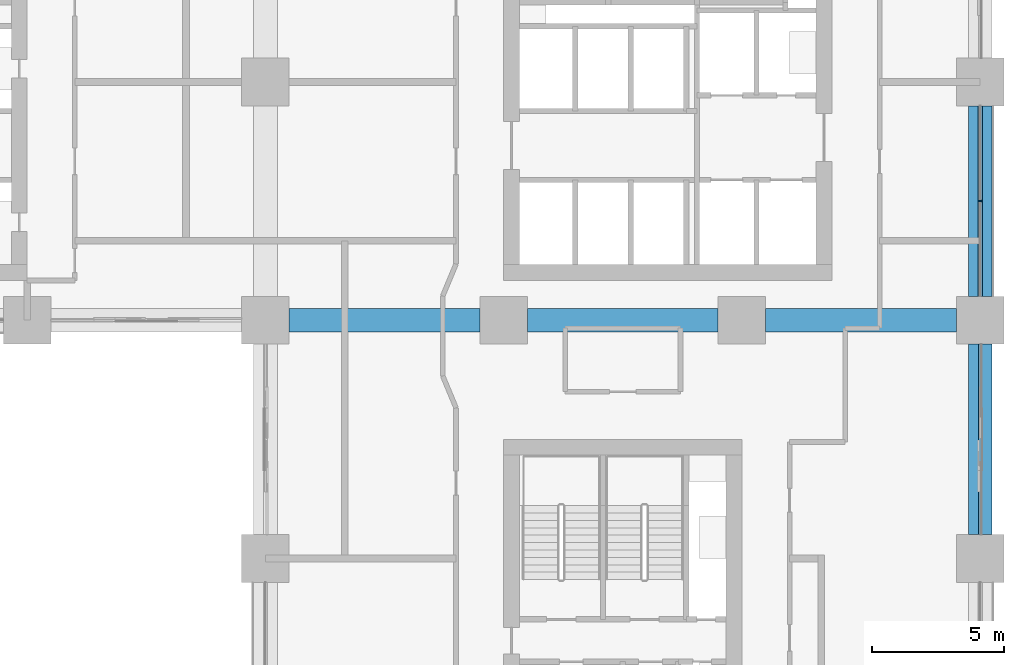
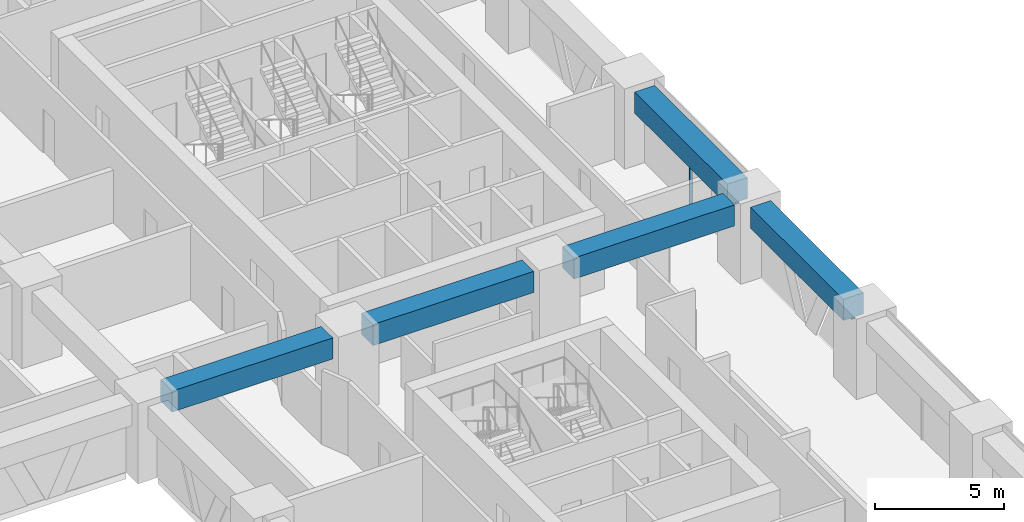
# One storey, part 5 of 18: 5 beams, 3 members, 2 elements without a shape of their own.
"""IFC4 building model written with IfcOpenShell, lengths in metres."""

from ifc_helpers import new_model, si_unit, direction, frame, origin, origin_2d, place, context, subcontext, project, spatial, rectangle, extrude, material, material_profile, profile_set, type_object, element, aggregate, save


model = new_model("IFC4")

# Units and contexts
model_context = context("Model", 3, precision=1e-05, world=origin(), true_north=direction((0.0, 1.0)))
body_context = subcontext(model_context, "Body", "Model", "MODEL_VIEW")
ifc_project = project(units=[si_unit("LENGTHUNIT", "METRE"), si_unit("AREAUNIT", "SQUARE_METRE"), si_unit("VOLUMEUNIT", "CUBIC_METRE"), si_unit("PLANEANGLEUNIT", "RADIAN"), si_unit("MASSUNIT", "GRAM", prefix="KILO")], contexts=[model_context])

# Site, building, storey
site_placement = place(None, origin())
site = spatial("IfcSite", under=ifc_project, at=site_placement, CompositionType="ELEMENT")
building_placement = place(site_placement, origin())
building = spatial("IfcBuilding", under=site, at=building_placement, Name="Tessera Arch", CompositionType="ELEMENT")
storey_placement = place(building_placement, frame((0.0, 0.0, 115.800048828125)))
storey = spatial("IfcBuildingStorey", under=building, at=storey_placement, Name="L27", CompositionType="ELEMENT", Elevation=115.800048828125)

# Curtain wall, members
ifc_material_1 = material(Name="CW1 curtain wall")
curtain_wall_type_1 = type_object("IfcCurtainWallType", Name="CW1 curtain wall", PredefinedType="NOTDEFINED", material=ifc_material_1)
curtain_wall_1_placement = place(storey_placement, origin())
curtain_wall_1 = element("IfcCurtainWall", 1, at=curtain_wall_1_placement, inside=storey, type_object=curtain_wall_type_1, Name="CW1 curtain wall E54.0/3 L27", PredefinedType="NOTDEFINED")
ifc_material_2 = material(Name="Anodised aluminium pale metal", Category="aluminium")
ifc_material_profile_1 = material_profile(ifc_material_2, rectangle(XDim=0.159912109375, YDim=0.06005859375, at=origin_2d()), Name="AL 60x160")
ifc_profile_set_1 = profile_set([ifc_material_profile_1], Name="Anodised aluminium pale metal")
member_type_1 = type_object("IfcMemberType", Name="CW1 mullion", PredefinedType="MULLION", material=ifc_profile_set_1)
member_1_placement = place(storey_placement, frame((54.0, 31.5, 0.0), z_axis=(0.0, 0.0, 1.0), x_axis=(-1.0, 0.0, 0.0)))
member_1 = element("IfcMember", 2, at=member_1_placement, type_object=member_type_1, Name="CW1 mullion E54.0/3 1", PredefinedType="MULLION", context=body_context, shape_type="SweptSolid", body=[
    extrude(rectangle(XDim=0.159912109375, YDim=0.06005859375, at=origin_2d()), origin(), (0.0, 0.0, 1.0), 2.39990234375),
])
ifc_material_3 = material(Name="Anodised aluminium pale metal", Category="aluminium")
ifc_material_profile_2 = material_profile(ifc_material_3, rectangle(XDim=0.159912109375, YDim=0.10009765625, at=origin_2d()), Name="AL 160x100")
ifc_profile_set_2 = profile_set([ifc_material_profile_2], Name="Anodised aluminium pale metal")
member_type_2 = type_object("IfcMemberType", Name="CW1 transom", PredefinedType="USERDEFINED", material=ifc_profile_set_2)
member_2_placement = place(storey_placement, frame((54.0, 27.89990234375, 2.449951171875), z_axis=(0.0, 1.0, 0.0), x_axis=(-1.0, 0.0, 0.0)))
member_2 = element("IfcMember", 3, at=member_2_placement, type_object=member_type_2, Name="CW1 transom E54.0/3 1.1", ObjectType="TRANSOM", PredefinedType="USERDEFINED", context=body_context, shape_type="SweptSolid", body=[
    extrude(rectangle(XDim=0.159912109375, YDim=0.10009765625, at=origin_2d()), origin(), (0.0, 0.0, 1.0), 7.2001953125),
])
aggregate(curtain_wall_1, [member_1, member_2])

# Curtain wall, member
ifc_material_4 = material(Name="CW3 curtain wall")
curtain_wall_type_2 = type_object("IfcCurtainWallType", Name="CW3 curtain wall", PredefinedType="NOTDEFINED", material=ifc_material_4)
curtain_wall_2_placement = place(storey_placement, origin())
curtain_wall_2 = element("IfcCurtainWall", 4, at=curtain_wall_2_placement, inside=storey, type_object=curtain_wall_type_2, Name="CW3 curtain wall E54.0/2 L27", PredefinedType="NOTDEFINED")
ifc_material_5 = material(Name="Anodised aluminium pale metal", Category="aluminium")
ifc_material_profile_3 = material_profile(ifc_material_5, rectangle(XDim=0.139892578125, YDim=0.10009765625, at=origin_2d()), Name="AL 140x100")
ifc_profile_set_3 = profile_set([ifc_material_profile_3], Name="Anodised aluminium pale metal")
member_type_3 = type_object("IfcMemberType", Name="CW3 transom", PredefinedType="USERDEFINED", material=ifc_profile_set_3)
member_3_placement = place(storey_placement, frame((54.0, 18.89990234375, 2.449951171875), z_axis=(0.0, 1.0, 0.0), x_axis=(-1.0, 0.0, 0.0)))
member_3 = element("IfcMember", 5, at=member_3_placement, type_object=member_type_3, Name="CW3 transom E54.0/2 1.1", ObjectType="TRANSOM", PredefinedType="USERDEFINED", context=body_context, shape_type="SweptSolid", body=[
    extrude(rectangle(XDim=0.139892578125, YDim=0.10009765625, at=origin_2d()), origin(), (0.0, 0.0, 1.0), 7.2001953125),
])
aggregate(curtain_wall_2, [member_3])

# Beams
ifc_material_6 = material(Name="Concrete C80/95", Category="concrete")
ifc_material_profile_4 = material_profile(ifc_material_6, rectangle(XDim=0.89990234375, YDim=1.0, at=origin_2d()), Name="RC spandrel beam 900 x 1000 Concrete C80/95")
ifc_profile_set_4 = profile_set([ifc_material_profile_4], Name="Concrete C80/95")
beam_type = type_object("IfcBeamType", Name="RC spandrel beam 900 x 1000 Concrete C80/95", PredefinedType="BEAM", material=ifc_profile_set_4)
for number, where, z_axis, x_axis, name in (
    (6, (54.0, 18.89990234375, 3.0), (0.0, 1.0, 0.0), (-1.0, 0.0, 0.0), "Spandrel beam L27 E54.0/2"),
    (7, (54.0, 27.89990234375, 3.0), (0.0, 1.0, 0.0), (-1.0, 0.0, 0.0), "Spandrel beam L27 E54.0/3"),
    (8, (27.89990234375, 27.0, 3.0), (1.0, 0.0, 0.0), (0.0, 1.0, 0.0), "Interface beam L27 I1C4D-C5D"),
    (9, (36.89990234375, 27.0, 3.0), (1.0, 0.0, 0.0), (0.0, 1.0, 0.0), "Interface beam L27 I1C5D-C6D"),
    (10, (45.89990234375, 27.0, 3.0), (1.0, 0.0, 0.0), (0.0, 1.0, 0.0), "Interface beam L27 I1C6D-C7D"),
):
    element("IfcBeam", number, at=place(storey_placement, frame(where, z_axis=z_axis, x_axis=x_axis)), inside=storey, type_object=beam_type, Name=name, PredefinedType="BEAM", context=body_context, shape_type="SweptSolid", body=[
        extrude(rectangle(XDim=0.89990234375, YDim=1.0, at=origin_2d()), origin(), (0.0, 0.0, 1.0), 7.2001953125),
    ])

save(model, "model.ifc")
